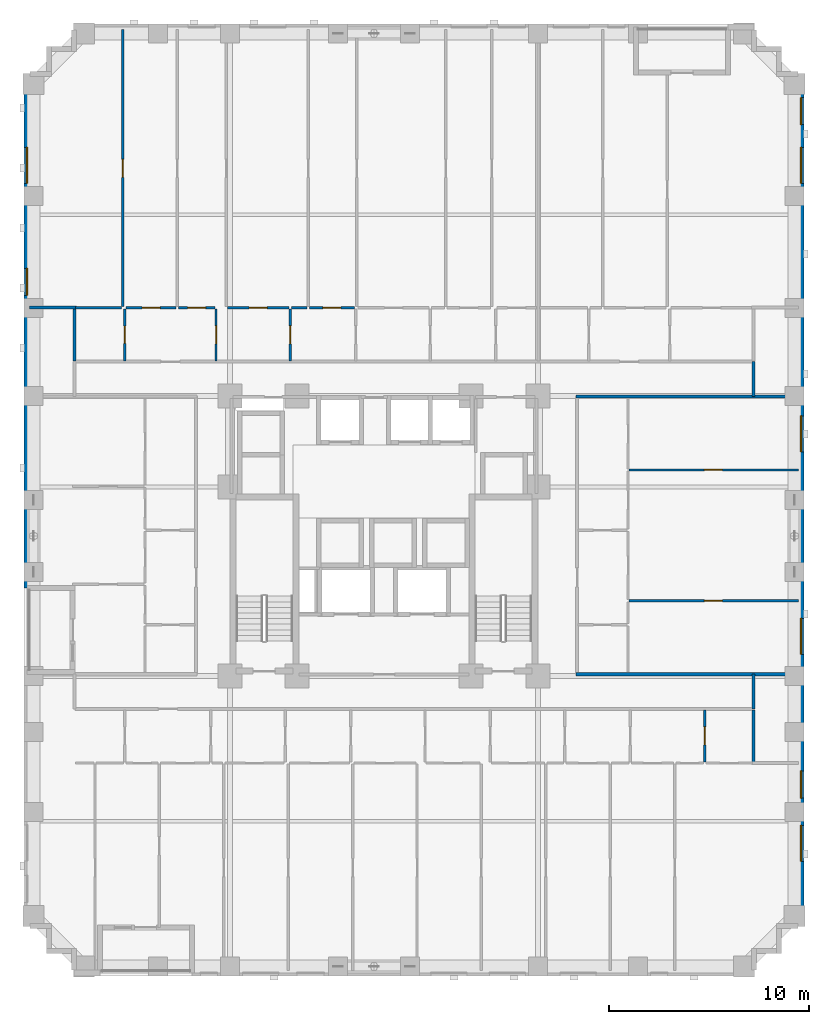
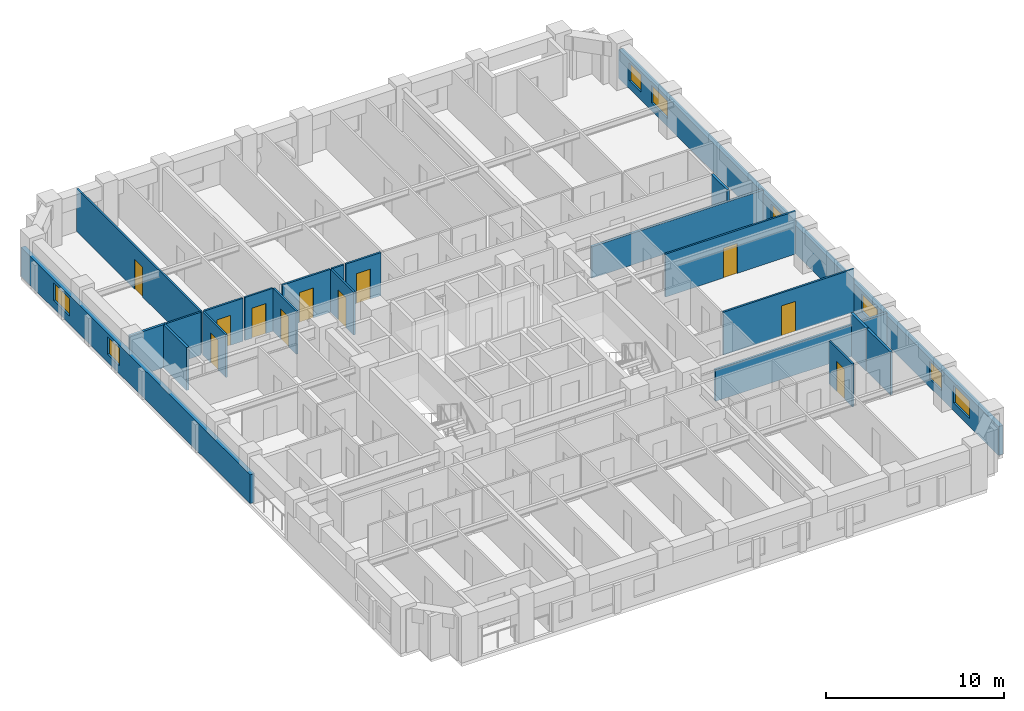
# One storey, part 7 of 14: 22 walls, 11 doors, 8 windows, 19 openings.
"""IFC4 building model written with IfcOpenShell, lengths in metres."""

from ifc_helpers import new_model, si_unit, derived_unit, direction, frame, frame_2d, origin, place, context, subcontext, project, spatial, rectangle, extrude, material, layer, layer_set, type_object, element, fill, save


model = new_model("IFC4")

# Units and contexts
model_context = context("Model", 3, precision=1e-05, world=origin(), true_north=direction((0.0, 1.0)))
body_context = subcontext(model_context, "Body", "Model", "MODEL_VIEW")
ifc_project = project(units=[si_unit("LENGTHUNIT", "METRE"), si_unit("AREAUNIT", "SQUARE_METRE"), si_unit("VOLUMEUNIT", "CUBIC_METRE"), si_unit("PLANEANGLEUNIT", "RADIAN"), si_unit("MASSUNIT", "GRAM", prefix="KILO"), derived_unit("THERMALTRANSMITTANCEUNIT", [(si_unit("MASSUNIT", "GRAM", prefix="KILO"), 1), (si_unit("TIMEUNIT", "SECOND"), -3), (si_unit("THERMODYNAMICTEMPERATUREUNIT", "KELVIN"), -1)])], contexts=[model_context])

# Site, building, storey
site_placement = place(None, origin())
site = spatial("IfcSite", under=ifc_project, at=site_placement, CompositionType="ELEMENT")
building_placement = place(site_placement, origin())
building = spatial("IfcBuilding", under=site, at=building_placement, Name="Korrvale Station Residences", CompositionType="ELEMENT")
storey_placement = place(building_placement, frame((0.0, 0.0, 29.0)))
storey = spatial("IfcBuildingStorey", under=building, at=storey_placement, Name="L06", CompositionType="ELEMENT", Elevation=29.0)

# Wall, openings, windows
ifc_material_1 = material(Name="Precast concrete C45/55", Category="concrete")
ifc_layer_1 = layer(ifc_material_1, 0.300048828125, Name="Precast concrete C45/55")
ifc_layer_set_1 = layer_set([ifc_layer_1], Name="Precast concrete C45/55")
wall_type_1 = type_object("IfcWallType", Name="WAL-EXT-PC300", PredefinedType="SOLIDWALL", material=ifc_layer_set_1)
wall_1_placement = place(storey_placement, frame((46.35009765625, 45.10009765625, 0.0), z_axis=(0.0, 0.0, 1.0), x_axis=(0.0, -1.0, 0.0)))
wall_1 = element("IfcWall", 1, at=wall_1_placement, inside=storey, type_object=wall_type_1, Name="L06 East Exterior Precast Wall 1", PredefinedType="SOLIDWALL", context=body_context, shape_type="SweptSolid", body=[
    extrude(rectangle(XDim=42.60009765625, YDim=0.300048828125, at=frame_2d((21.300048828125, 0.0))), origin(), (0.0, 0.0, 1.0), 1.97509765625),
])
opening_1_placement = place(wall_1_placement, frame((37.574951171875, 0.0, 0.550048828125)))
opening_1 = element("IfcOpeningElement", 2, at=opening_1_placement, cuts=wall_1, Name="Opening W-09", PredefinedType="OPENING", context=body_context, shape_type="SweptSolid", body=[
    extrude(rectangle(XDim=1.800048828125, YDim=1.199951171875, at=frame_2d((0.89990234375, 0.60009765625))), frame((0.0, 0.16015625, 0.0), z_axis=(0.0, -1.0, 0.0), x_axis=(1.0, 0.0, 0.0)), (0.0, 0.0, 1.0), 0.320068359375),
])
opening_2_placement = place(wall_1_placement, frame((34.85009765625, 0.0, 0.550048828125)))
opening_2 = element("IfcOpeningElement", 3, at=opening_2_placement, cuts=wall_1, Name="Opening W-10", PredefinedType="OPENING", context=body_context, shape_type="SweptSolid", body=[
    extrude(rectangle(XDim=1.35009765625, YDim=1.199951171875, at=frame_2d((0.675048828125, 0.60009765625))), frame((0.0, 0.16015625, 0.0), z_axis=(0.0, -1.0, 0.0), x_axis=(1.0, 0.0, 0.0)), (0.0, 0.0, 1.0), 0.320068359375),
])
opening_3_placement = place(wall_1_placement, frame((3.6650390625, 0.0, 0.550048828125)))
opening_3 = element("IfcOpeningElement", 4, at=opening_3_placement, cuts=wall_1, Name="Opening W-09", PredefinedType="OPENING", context=body_context, shape_type="SweptSolid", body=[
    extrude(rectangle(XDim=1.800048828125, YDim=1.199951171875, at=frame_2d((0.89990234375, 0.60009765625))), frame((0.0, 0.16015625, 0.0), z_axis=(0.0, -1.0, 0.0), x_axis=(1.0, 0.0, 0.0)), (0.0, 0.0, 1.0), 0.320068359375),
])
opening_4_placement = place(wall_1_placement, frame((1.18505859375, 0.0, 0.550048828125)))
opening_4 = element("IfcOpeningElement", 5, at=opening_4_placement, cuts=wall_1, Name="Opening W-10", PredefinedType="OPENING", context=body_context, shape_type="SweptSolid", body=[
    extrude(rectangle(XDim=1.35009765625, YDim=1.199951171875, at=frame_2d((0.675048828125, 0.60009765625))), frame((0.0, 0.16015625, 0.0), z_axis=(0.0, -1.0, 0.0), x_axis=(1.0, 0.0, 0.0)), (0.0, 0.0, 1.0), 0.320068359375),
])
opening_5_placement = place(wall_1_placement, frame((27.22509765625, 0.0, 0.550048828125)))
opening_5 = element("IfcOpeningElement", 6, at=opening_5_placement, cuts=wall_1, Name="Opening W-09", PredefinedType="OPENING", context=body_context, shape_type="SweptSolid", body=[
    extrude(rectangle(XDim=1.800048828125, YDim=1.199951171875, at=frame_2d((0.89990234375, 0.60009765625))), frame((0.0, 0.16015625, 0.0), z_axis=(0.0, -1.0, 0.0), x_axis=(1.0, 0.0, 0.0)), (0.0, 0.0, 1.0), 0.320068359375),
])
opening_6_placement = place(wall_1_placement, frame((17.10009765625, 0.0, 0.550048828125)))
opening_6 = element("IfcOpeningElement", 7, at=opening_6_placement, cuts=wall_1, Name="Opening W-09", PredefinedType="OPENING", context=body_context, shape_type="SweptSolid", body=[
    extrude(rectangle(XDim=1.800048828125, YDim=1.199951171875, at=frame_2d((0.89990234375, 0.60009765625))), frame((0.0, 0.16015625, 0.0), z_axis=(0.0, -1.0, 0.0), x_axis=(1.0, 0.0, 0.0)), (0.0, 0.0, 1.0), 0.320068359375),
])
ifc_material_2 = material(Name="Thermally broken aluminium frame with triple low-e glazing", Category="aluminium")
window_type_1 = type_object("IfcWindowType", Name="WIN-W09", PartitioningType="DOUBLE_PANEL_VERTICAL", PredefinedType="WINDOW", material=ifc_material_2)
window_1_placement = place(opening_1_placement, origin())
window_1 = element("IfcWindow", 8, at=window_1_placement, inside=storey, type_object=window_type_1, Name="L06 Punched Window 11", OverallHeight=1.199951171875, OverallWidth=1.800048828125, PartitioningType="DOUBLE_PANEL_VERTICAL", PredefinedType="WINDOW", context=body_context, shape_type="SweptSolid", body=[
    extrude(rectangle(XDim=1.800048828125, YDim=1.199951171875, at=frame_2d((0.89990234375, 0.60009765625))), frame((0.0, 0.030029296875, 0.0), z_axis=(0.0, -1.0, 0.0), x_axis=(1.0, 0.0, 0.0)), (0.0, 0.0, 1.0), 0.06005859375),
])
fill(opening_1, window_1)
window_2_placement = place(opening_3_placement, origin())
window_2 = element("IfcWindow", 9, at=window_2_placement, inside=storey, type_object=window_type_1, Name="L06 Punched Window 21", OverallHeight=1.199951171875, OverallWidth=1.800048828125, PartitioningType="DOUBLE_PANEL_VERTICAL", PredefinedType="WINDOW", context=body_context, shape_type="SweptSolid", body=[
    extrude(rectangle(XDim=1.800048828125, YDim=1.199951171875, at=frame_2d((0.89990234375, 0.60009765625))), frame((0.0, 0.030029296875, 0.0), z_axis=(0.0, -1.0, 0.0), x_axis=(1.0, 0.0, 0.0)), (0.0, 0.0, 1.0), 0.06005859375),
])
fill(opening_3, window_2)
window_3_placement = place(opening_5_placement, origin())
window_3 = element("IfcWindow", 10, at=window_3_placement, inside=storey, type_object=window_type_1, Name="L06 Punched Window 24", OverallHeight=1.199951171875, OverallWidth=1.800048828125, PartitioningType="DOUBLE_PANEL_VERTICAL", PredefinedType="WINDOW", context=body_context, shape_type="SweptSolid", body=[
    extrude(rectangle(XDim=1.800048828125, YDim=1.199951171875, at=frame_2d((0.89990234375, 0.60009765625))), frame((0.0, 0.030029296875, 0.0), z_axis=(0.0, -1.0, 0.0), x_axis=(1.0, 0.0, 0.0)), (0.0, 0.0, 1.0), 0.06005859375),
])
fill(opening_5, window_3)
window_4_placement = place(opening_6_placement, origin())
window_4 = element("IfcWindow", 11, at=window_4_placement, inside=storey, type_object=window_type_1, Name="L06 Punched Window 25", OverallHeight=1.199951171875, OverallWidth=1.800048828125, PartitioningType="DOUBLE_PANEL_VERTICAL", PredefinedType="WINDOW", context=body_context, shape_type="SweptSolid", body=[
    extrude(rectangle(XDim=1.800048828125, YDim=1.199951171875, at=frame_2d((0.89990234375, 0.60009765625))), frame((0.0, 0.030029296875, 0.0), z_axis=(0.0, -1.0, 0.0), x_axis=(1.0, 0.0, 0.0)), (0.0, 0.0, 1.0), 0.06005859375),
])
fill(opening_6, window_4)
window_type_2 = type_object("IfcWindowType", Name="WIN-W10", PartitioningType="SINGLE_PANEL", PredefinedType="WINDOW", material=ifc_material_2)
window_5_placement = place(opening_2_placement, origin())
window_5 = element("IfcWindow", 12, at=window_5_placement, inside=storey, type_object=window_type_2, Name="L06 Punched Window 12", OverallHeight=1.199951171875, OverallWidth=1.35009765625, PartitioningType="SINGLE_PANEL", PredefinedType="WINDOW", context=body_context, shape_type="SweptSolid", body=[
    extrude(rectangle(XDim=1.35009765625, YDim=1.199951171875, at=frame_2d((0.675048828125, 0.60009765625))), frame((0.0, 0.030029296875, 0.0), z_axis=(0.0, -1.0, 0.0), x_axis=(1.0, 0.0, 0.0)), (0.0, 0.0, 1.0), 0.06005859375),
])
fill(opening_2, window_5)
window_6_placement = place(opening_4_placement, origin())
window_6 = element("IfcWindow", 13, at=window_6_placement, inside=storey, type_object=window_type_2, Name="L06 Punched Window 22", OverallHeight=1.199951171875, OverallWidth=1.35009765625, PartitioningType="SINGLE_PANEL", PredefinedType="WINDOW", context=body_context, shape_type="SweptSolid", body=[
    extrude(rectangle(XDim=1.35009765625, YDim=1.199951171875, at=frame_2d((0.675048828125, 0.60009765625))), frame((0.0, 0.030029296875, 0.0), z_axis=(0.0, -1.0, 0.0), x_axis=(1.0, 0.0, 0.0)), (0.0, 0.0, 1.0), 0.06005859375),
])
fill(opening_4, window_6)

wall_2_placement = place(storey_placement, frame((7.64990234375, 19.39990234375, 0.0), z_axis=(0.0, 0.0, 1.0), x_axis=(0.0, 1.0, 0.0)))
wall_2 = element("IfcWall", 14, at=wall_2_placement, inside=storey, type_object=wall_type_1, Name="L06 West Exterior Precast Wall 2", PredefinedType="SOLIDWALL", context=body_context, shape_type="SweptSolid", body=[
    extrude(rectangle(XDim=25.7001953125, YDim=0.300048828125, at=frame_2d((12.85009765625, 0.0))), origin(), (0.0, 0.0, 1.0), 1.97509765625),
])
opening_7_placement = place(wall_2_placement, frame((20.235107421875, 0.0, 0.550048828125)))
opening_7 = element("IfcOpeningElement", 15, at=opening_7_placement, cuts=wall_2, Name="Opening W-09", PredefinedType="OPENING", context=body_context, shape_type="SweptSolid", body=[
    extrude(rectangle(XDim=1.800048828125, YDim=1.199951171875, at=frame_2d((0.89990234375, 0.60009765625))), frame((0.0, 0.16015625, 0.0), z_axis=(0.0, -1.0, 0.0), x_axis=(1.0, 0.0, 0.0)), (0.0, 0.0, 1.0), 0.320068359375),
])
opening_8_placement = place(wall_2_placement, frame((14.635009765625, 0.0, 0.550048828125)))
opening_8 = element("IfcOpeningElement", 16, at=opening_8_placement, cuts=wall_2, Name="Opening W-10", PredefinedType="OPENING", context=body_context, shape_type="SweptSolid", body=[
    extrude(rectangle(XDim=1.35009765625, YDim=1.199951171875, at=frame_2d((0.675048828125, 0.60009765625))), frame((0.0, 0.16015625, 0.0), z_axis=(0.0, -1.0, 0.0), x_axis=(1.0, 0.0, 0.0)), (0.0, 0.0, 1.0), 0.320068359375),
])
window_7_placement = place(opening_7_placement, origin())
window_7 = element("IfcWindow", 17, at=window_7_placement, inside=storey, type_object=window_type_1, Name="L06 Punched Window 13", OverallHeight=1.199951171875, OverallWidth=1.800048828125, PartitioningType="DOUBLE_PANEL_VERTICAL", PredefinedType="WINDOW", context=body_context, shape_type="SweptSolid", body=[
    extrude(rectangle(XDim=1.800048828125, YDim=1.199951171875, at=frame_2d((0.89990234375, 0.60009765625))), frame((0.0, 0.030029296875, 0.0), z_axis=(0.0, -1.0, 0.0), x_axis=(1.0, 0.0, 0.0)), (0.0, 0.0, 1.0), 0.06005859375),
])
fill(opening_7, window_7)
window_8_placement = place(opening_8_placement, origin())
window_8 = element("IfcWindow", 18, at=window_8_placement, inside=storey, type_object=window_type_2, Name="L06 Punched Window 14", OverallHeight=1.199951171875, OverallWidth=1.35009765625, PartitioningType="SINGLE_PANEL", PredefinedType="WINDOW", context=body_context, shape_type="SweptSolid", body=[
    extrude(rectangle(XDim=1.35009765625, YDim=1.199951171875, at=frame_2d((0.675048828125, 0.60009765625))), frame((0.0, 0.030029296875, 0.0), z_axis=(0.0, -1.0, 0.0), x_axis=(1.0, 0.0, 0.0)), (0.0, 0.0, 1.0), 0.06005859375),
])
fill(opening_8, window_8)

# Wall, opening, door
ifc_material_3 = material(Name="Acoustic steel-stud gypsum board partition", Category="steel")
ifc_layer_2 = layer(ifc_material_3, 0.1201171875, Name="Acoustic steel-stud gypsum board partition")
ifc_layer_set_2 = layer_set([ifc_layer_2], Name="Acoustic steel-stud gypsum board partition")
wall_type_2 = type_object("IfcWallType", Name="WAL-PART-125", PredefinedType="PARTITIONING", material=ifc_layer_set_2)
wall_3_placement = place(storey_placement, frame((41.530029296875, 10.7099609375, 0.0), z_axis=(0.0, 0.0, 1.0), x_axis=(0.0, 1.0, 0.0)))
wall_3 = element("IfcWall", 19, at=wall_3_placement, inside=storey, type_object=wall_type_2, Name="L06 Suite Partition U01-V89", PredefinedType="PARTITIONING", context=body_context, shape_type="SweptSolid", body=[
    extrude(rectangle(XDim=2.60009765625, YDim=0.1201171875, at=frame_2d((1.300048828125, 0.0))), origin(), (0.0, 0.0, 1.0), 2.93994140625),
])
opening_9_placement = place(wall_3_placement, frame((0.85009765625, 0.0, 0.0)))
opening_9 = element("IfcOpeningElement", 20, at=opening_9_placement, cuts=wall_3, Name="Opening DI-900", PredefinedType="OPENING", context=body_context, shape_type="SweptSolid", body=[
    extrude(rectangle(XDim=0.89990234375, YDim=2.050048828125, at=frame_2d((0.449951171875, 1.02490234375))), frame((0.0, 0.070068359375, 0.0), z_axis=(0.0, -1.0, 0.0), x_axis=(1.0, 0.0, 0.0)), (0.0, 0.0, 1.0), 0.14013671875),
])
ifc_material_4 = material(Name="Painted solid-core timber interior room door", Category="wood")
door_type_1 = type_object("IfcDoorType", Name="DR-INT-900", OperationType="NOTDEFINED", PredefinedType="DOOR", material=ifc_material_4)
door_1_placement = place(opening_9_placement, origin())
door_1 = element("IfcDoor", 21, at=door_1_placement, inside=storey, type_object=door_type_1, Name="L06 Studio Apartment L06-U01 Storage Closet 7 Door", OperationType="SINGLE_SWING_RIGHT", OverallHeight=2.050048828125, OverallWidth=0.89990234375, PredefinedType="DOOR", context=body_context, shape_type="SweptSolid", body=[
    extrude(rectangle(XDim=0.89990234375, YDim=2.050048828125, at=frame_2d((0.449951171875, 1.02490234375))), frame((0.0, 0.02490234375, 0.0), z_axis=(0.0, -1.0, 0.0), x_axis=(1.0, 0.0, 0.0)), (0.0, 0.0, 1.0), 0.050048828125),
])
fill(opening_9, door_1)

wall_4_placement = place(storey_placement, frame((12.5400390625, 30.760009765625, 0.0), z_axis=(0.0, 0.0, 1.0), x_axis=(0.0, 1.0, 0.0)))
wall_4 = element("IfcWall", 22, at=wall_4_placement, inside=storey, type_object=wall_type_2, Name="L06 Suite Partition U02-V01", PredefinedType="PARTITIONING", context=body_context, shape_type="SweptSolid", body=[
    extrude(rectangle(XDim=2.60009765625, YDim=0.1201171875, at=frame_2d((1.300048828125, 0.0))), origin(), (0.0, 0.0, 1.0), 2.93994140625),
])
opening_10_placement = place(wall_4_placement, frame((0.8701171875, 0.0, 0.0)))
opening_10 = element("IfcOpeningElement", 23, at=opening_10_placement, cuts=wall_4, Name="Opening DB-860", PredefinedType="OPENING", context=body_context, shape_type="SweptSolid", body=[
    extrude(rectangle(XDim=0.860107421875, YDim=2.050048828125, at=frame_2d((0.43017578125, 1.02490234375))), frame((0.0, 0.070068359375, 0.0), z_axis=(0.0, -1.0, 0.0), x_axis=(1.0, 0.0, 0.0)), (0.0, 0.0, 1.0), 0.14013671875),
])
ifc_material_5 = material(Name="Moisture-resistant solid-core bathroom door", Category="timber")
door_type_2 = type_object("IfcDoorType", Name="DR-BATH-860", OperationType="NOTDEFINED", PredefinedType="DOOR", material=ifc_material_5)
door_2_placement = place(opening_10_placement, origin())
door_2 = element("IfcDoor", 24, at=door_2_placement, inside=storey, type_object=door_type_2, Name="L06 Apartment 2BR L06-U02 Bathroom Door", OperationType="SINGLE_SWING_RIGHT", OverallHeight=2.050048828125, OverallWidth=0.860107421875, PredefinedType="DOOR", context=body_context, shape_type="SweptSolid", body=[
    extrude(rectangle(XDim=0.860107421875, YDim=2.050048828125, at=frame_2d((0.43017578125, 1.02490234375))), frame((0.0, 0.02490234375, 0.0), z_axis=(0.0, -1.0, 0.0), x_axis=(1.0, 0.0, 0.0)), (0.0, 0.0, 1.0), 0.050048828125),
])
fill(opening_10, door_2)

# Wall
wall_5_placement = place(storey_placement, frame((10.080078125, 33.419921875, 0.0), z_axis=(0.0, 0.0, 1.0), x_axis=(1.0, 0.0, 0.0)))
element("IfcWall", 25, at=wall_5_placement, inside=storey, type_object=wall_type_2, Name="L06 Suite Partition U02-H07", PredefinedType="PARTITIONING", context=body_context, shape_type="SweptSolid", body=[
    extrude(rectangle(XDim=2.2998046875, YDim=0.1201171875, at=frame_2d((1.14990234375, 0.0))), origin(), (0.0, 0.0, 1.0), 2.93994140625),
])

# Wall, opening, door
wall_6_placement = place(storey_placement, frame((17.10009765625, 30.760009765625, 0.0), z_axis=(0.0, 0.0, 1.0), x_axis=(0.0, 1.0, 0.0)))
wall_6 = element("IfcWall", 26, at=wall_6_placement, inside=storey, type_object=wall_type_2, Name="L06 Suite Partition U02-V12", PredefinedType="PARTITIONING", context=body_context, shape_type="SweptSolid", body=[
    extrude(rectangle(XDim=2.60009765625, YDim=0.1201171875, at=frame_2d((1.300048828125, 0.0))), origin(), (0.0, 0.0, 1.0), 2.93994140625),
])
opening_11_placement = place(wall_6_placement, frame((0.85009765625, 0.0, 0.0)))
opening_11 = element("IfcOpeningElement", 27, at=opening_11_placement, cuts=wall_6, Name="Opening DI-900", PredefinedType="OPENING", context=body_context, shape_type="SweptSolid", body=[
    extrude(rectangle(XDim=0.89990234375, YDim=2.050048828125, at=frame_2d((0.449951171875, 1.02490234375))), frame((0.0, 0.070068359375, 0.0), z_axis=(0.0, -1.0, 0.0), x_axis=(1.0, 0.0, 0.0)), (0.0, 0.0, 1.0), 0.14013671875),
])
door_3_placement = place(opening_11_placement, origin())
door_3 = element("IfcDoor", 28, at=door_3_placement, inside=storey, type_object=door_type_1, Name="L06 Apartment 2BR L06-U02 Kitchen Door", OperationType="SINGLE_SWING_LEFT", OverallHeight=2.050048828125, OverallWidth=0.89990234375, PredefinedType="DOOR", context=body_context, shape_type="SweptSolid", body=[
    extrude(rectangle(XDim=0.89990234375, YDim=2.050048828125, at=frame_2d((0.449951171875, 1.02490234375))), frame((0.0, 0.02490234375, 0.0), z_axis=(0.0, -1.0, 0.0), x_axis=(1.0, 0.0, 0.0)), (0.0, 0.0, 1.0), 0.050048828125),
])
fill(opening_11, door_3)

wall_7_placement = place(storey_placement, frame((12.60009765625, 33.419921875, 0.0), z_axis=(0.0, 0.0, 1.0), x_axis=(1.0, 0.0, 0.0)))
wall_7 = element("IfcWall", 29, at=wall_7_placement, inside=storey, type_object=wall_type_2, Name="L06 Suite Partition U02-H18", PredefinedType="PARTITIONING", context=body_context, shape_type="SweptSolid", body=[
    extrude(rectangle(XDim=2.5068359375, YDim=0.1201171875, at=frame_2d((1.25341796875, 0.0))), origin(), (0.0, 0.0, 1.0), 2.93994140625),
])
opening_12_placement = place(wall_7_placement, frame((0.802978515625, 0.0, 0.0)))
opening_12 = element("IfcOpeningElement", 30, at=opening_12_placement, cuts=wall_7, Name="Opening DI-900", PredefinedType="OPENING", context=body_context, shape_type="SweptSolid", body=[
    extrude(rectangle(XDim=0.89990234375, YDim=2.050048828125, at=frame_2d((0.449951171875, 1.02490234375))), frame((0.0, 0.070068359375, 0.0), z_axis=(0.0, -1.0, 0.0), x_axis=(1.0, 0.0, 0.0)), (0.0, 0.0, 1.0), 0.14013671875),
])
door_4_placement = place(opening_12_placement, origin())
door_4 = element("IfcDoor", 31, at=door_4_placement, inside=storey, type_object=door_type_1, Name="L06 Apartment 2BR L06-U02 Kitchen Door", OperationType="SINGLE_SWING_RIGHT", OverallHeight=2.050048828125, OverallWidth=0.89990234375, PredefinedType="DOOR", context=body_context, shape_type="SweptSolid", body=[
    extrude(rectangle(XDim=0.89990234375, YDim=2.050048828125, at=frame_2d((0.449951171875, 1.02490234375))), frame((0.0, 0.02490234375, 0.0), z_axis=(0.0, -1.0, 0.0), x_axis=(1.0, 0.0, 0.0)), (0.0, 0.0, 1.0), 0.050048828125),
])
fill(opening_12, door_4)

wall_8_placement = place(storey_placement, frame((15.22705078125, 33.419921875, 0.0), z_axis=(0.0, 0.0, 1.0), x_axis=(1.0, 0.0, 0.0)))
wall_8 = element("IfcWall", 32, at=wall_8_placement, inside=storey, type_object=wall_type_2, Name="L06 Suite Partition U02-H19", PredefinedType="PARTITIONING", context=body_context, shape_type="SweptSolid", body=[
    extrude(rectangle(XDim=1.81298828125, YDim=0.1201171875, at=frame_2d((0.906494140625, 0.0))), origin(), (0.0, 0.0, 1.0), 2.93994140625),
])
opening_13_placement = place(wall_8_placement, frame((0.4560546875, 0.0, 0.0)))
opening_13 = element("IfcOpeningElement", 33, at=opening_13_placement, cuts=wall_8, Name="Opening DI-900", PredefinedType="OPENING", context=body_context, shape_type="SweptSolid", body=[
    extrude(rectangle(XDim=0.89990234375, YDim=2.050048828125, at=frame_2d((0.449951171875, 1.02490234375))), frame((0.0, 0.070068359375, 0.0), z_axis=(0.0, -1.0, 0.0), x_axis=(1.0, 0.0, 0.0)), (0.0, 0.0, 1.0), 0.14013671875),
])
door_5_placement = place(opening_13_placement, origin())
door_5 = element("IfcDoor", 34, at=door_5_placement, inside=storey, type_object=door_type_1, Name="L06 Apartment 2BR L06-U02 Kitchen Door", OperationType="SINGLE_SWING_LEFT", OverallHeight=2.050048828125, OverallWidth=0.89990234375, PredefinedType="DOOR", context=body_context, shape_type="SweptSolid", body=[
    extrude(rectangle(XDim=0.89990234375, YDim=2.050048828125, at=frame_2d((0.449951171875, 1.02490234375))), frame((0.0, 0.02490234375, 0.0), z_axis=(0.0, -1.0, 0.0), x_axis=(1.0, 0.0, 0.0)), (0.0, 0.0, 1.0), 0.050048828125),
])
fill(opening_13, door_5)

wall_9_placement = place(storey_placement, frame((20.820068359375, 30.760009765625, 0.0), z_axis=(0.0, 0.0, 1.0), x_axis=(0.0, 1.0, 0.0)))
wall_9 = element("IfcWall", 35, at=wall_9_placement, inside=storey, type_object=wall_type_2, Name="L06 Suite Partition U02-V23", PredefinedType="PARTITIONING", context=body_context, shape_type="SweptSolid", body=[
    extrude(rectangle(XDim=2.60009765625, YDim=0.1201171875, at=frame_2d((1.300048828125, 0.0))), origin(), (0.0, 0.0, 1.0), 2.93994140625),
])
opening_14_placement = place(wall_9_placement, frame((0.85009765625, 0.0, 0.0)))
opening_14 = element("IfcOpeningElement", 36, at=opening_14_placement, cuts=wall_9, Name="Opening DI-900", PredefinedType="OPENING", context=body_context, shape_type="SweptSolid", body=[
    extrude(rectangle(XDim=0.89990234375, YDim=2.050048828125, at=frame_2d((0.449951171875, 1.02490234375))), frame((0.0, 0.070068359375, 0.0), z_axis=(0.0, -1.0, 0.0), x_axis=(1.0, 0.0, 0.0)), (0.0, 0.0, 1.0), 0.14013671875),
])
door_6_placement = place(opening_14_placement, origin())
door_6 = element("IfcDoor", 37, at=door_6_placement, inside=storey, type_object=door_type_1, Name="L06 Apartment 2BR L06-U02 Utility and Laundry Room Door", OperationType="SINGLE_SWING_RIGHT", OverallHeight=2.050048828125, OverallWidth=0.89990234375, PredefinedType="DOOR", context=body_context, shape_type="SweptSolid", body=[
    extrude(rectangle(XDim=0.89990234375, YDim=2.050048828125, at=frame_2d((0.449951171875, 1.02490234375))), frame((0.0, 0.02490234375, 0.0), z_axis=(0.0, -1.0, 0.0), x_axis=(1.0, 0.0, 0.0)), (0.0, 0.0, 1.0), 0.050048828125),
])
fill(opening_14, door_6)

wall_10_placement = place(storey_placement, frame((17.6640625, 33.419921875, 0.0), z_axis=(0.0, 0.0, 1.0), x_axis=(1.0, 0.0, 0.0)))
wall_10 = element("IfcWall", 38, at=wall_10_placement, inside=storey, type_object=wall_type_2, Name="L06 Suite Partition U02-H210", PredefinedType="PARTITIONING", context=body_context, shape_type="SweptSolid", body=[
    extrude(rectangle(XDim=3.095947265625, YDim=0.1201171875, at=frame_2d((1.5478515625, 0.0))), origin(), (0.0, 0.0, 1.0), 2.93994140625),
])
opening_15_placement = place(wall_10_placement, frame((1.097900390625, 0.0, 0.0)))
opening_15 = element("IfcOpeningElement", 39, at=opening_15_placement, cuts=wall_10, Name="Opening DI-900", PredefinedType="OPENING", context=body_context, shape_type="SweptSolid", body=[
    extrude(rectangle(XDim=0.89990234375, YDim=2.050048828125, at=frame_2d((0.449951171875, 1.02490234375))), frame((0.0, 0.070068359375, 0.0), z_axis=(0.0, -1.0, 0.0), x_axis=(1.0, 0.0, 0.0)), (0.0, 0.0, 1.0), 0.14013671875),
])
door_7_placement = place(opening_15_placement, origin())
door_7 = element("IfcDoor", 40, at=door_7_placement, inside=storey, type_object=door_type_1, Name="L06 Apartment 2BR L06-U02 Utility and Laundry Room Door", OperationType="SINGLE_SWING_LEFT", OverallHeight=2.050048828125, OverallWidth=0.89990234375, PredefinedType="DOOR", context=body_context, shape_type="SweptSolid", body=[
    extrude(rectangle(XDim=0.89990234375, YDim=2.050048828125, at=frame_2d((0.449951171875, 1.02490234375))), frame((0.0, 0.02490234375, 0.0), z_axis=(0.0, -1.0, 0.0), x_axis=(1.0, 0.0, 0.0)), (0.0, 0.0, 1.0), 0.050048828125),
])
fill(opening_15, door_7)

# Wall
wall_11_placement = place(storey_placement, frame((20.8798828125, 33.419921875, 0.0), z_axis=(0.0, 0.0, 1.0), x_axis=(1.0, 0.0, 0.0)))
element("IfcWall", 41, at=wall_11_placement, inside=storey, type_object=wall_type_2, Name="L06 Suite Partition U02-H310", PredefinedType="PARTITIONING", context=body_context, shape_type="SweptSolid", body=[
    extrude(rectangle(XDim=0.76708984375, YDim=0.1201171875, at=frame_2d((0.383544921875, 0.0))), origin(), (0.0, 0.0, 1.0), 2.93994140625),
])

# Wall, opening, door
wall_12_placement = place(storey_placement, frame((21.76708984375, 33.419921875, 0.0), z_axis=(0.0, 0.0, 1.0), x_axis=(1.0, 0.0, 0.0)))
wall_12 = element("IfcWall", 42, at=wall_12_placement, inside=storey, type_object=wall_type_2, Name="L06 Suite Partition U02-H311", PredefinedType="PARTITIONING", context=body_context, shape_type="SweptSolid", body=[
    extrude(rectangle(XDim=2.262939453125, YDim=0.1201171875, at=frame_2d((1.13134765625, 0.0))), origin(), (0.0, 0.0, 1.0), 2.93994140625),
])
opening_16_placement = place(wall_12_placement, frame((0.680908203125, 0.0, 0.0)))
opening_16 = element("IfcOpeningElement", 43, at=opening_16_placement, cuts=wall_12, Name="Opening DI-900", PredefinedType="OPENING", context=body_context, shape_type="SweptSolid", body=[
    extrude(rectangle(XDim=0.89990234375, YDim=2.050048828125, at=frame_2d((0.449951171875, 1.02490234375))), frame((0.0, 0.070068359375, 0.0), z_axis=(0.0, -1.0, 0.0), x_axis=(1.0, 0.0, 0.0)), (0.0, 0.0, 1.0), 0.14013671875),
])
door_8_placement = place(opening_16_placement, origin())
door_8 = element("IfcDoor", 44, at=door_8_placement, inside=storey, type_object=door_type_1, Name="L06 Apartment 2BR L06-U02 Storage Closet 2 Door", OperationType="SINGLE_SWING_LEFT", OverallHeight=2.050048828125, OverallWidth=0.89990234375, PredefinedType="DOOR", context=body_context, shape_type="SweptSolid", body=[
    extrude(rectangle(XDim=0.89990234375, YDim=2.050048828125, at=frame_2d((0.449951171875, 1.02490234375))), frame((0.0, 0.02490234375, 0.0), z_axis=(0.0, -1.0, 0.0), x_axis=(1.0, 0.0, 0.0)), (0.0, 0.0, 1.0), 0.050048828125),
])
fill(opening_16, door_8)

wall_13_placement = place(storey_placement, frame((12.43994140625, 33.47998046875, 0.0), z_axis=(0.0, 0.0, 1.0), x_axis=(0.0, 1.0, 0.0)))
wall_13 = element("IfcWall", 45, at=wall_13_placement, inside=storey, type_object=wall_type_2, Name="L06 Suite Partition U02-V78", PredefinedType="PARTITIONING", context=body_context, shape_type="SweptSolid", body=[
    extrude(rectangle(XDim=13.840087890625, YDim=0.1201171875, at=frame_2d((6.919921875, 0.0))), origin(), (0.0, 0.0, 1.0), 2.93994140625),
])
opening_17_placement = place(wall_13_placement, frame((6.455078125, 0.0, 0.0)))
opening_17 = element("IfcOpeningElement", 46, at=opening_17_placement, cuts=wall_13, Name="Opening DI-900", PredefinedType="OPENING", context=body_context, shape_type="SweptSolid", body=[
    extrude(rectangle(XDim=0.89990234375, YDim=2.050048828125, at=frame_2d((0.449951171875, 1.02490234375))), frame((0.0, 0.070068359375, 0.0), z_axis=(0.0, -1.0, 0.0), x_axis=(1.0, 0.0, 0.0)), (0.0, 0.0, 1.0), 0.14013671875),
])
door_9_placement = place(opening_17_placement, origin())
door_9 = element("IfcDoor", 47, at=door_9_placement, inside=storey, type_object=door_type_1, Name="L06 Apartment 2BR L06-U02 Living and Dining Room Door", OperationType="SINGLE_SWING_LEFT", OverallHeight=2.050048828125, OverallWidth=0.89990234375, PredefinedType="DOOR", context=body_context, shape_type="SweptSolid", body=[
    extrude(rectangle(XDim=0.89990234375, YDim=2.050048828125, at=frame_2d((0.449951171875, 1.02490234375))), frame((0.0, 0.02490234375, 0.0), z_axis=(0.0, -1.0, 0.0), x_axis=(1.0, 0.0, 0.0)), (0.0, 0.0, 1.0), 0.050048828125),
])
fill(opening_17, door_9)

wall_14_placement = place(storey_placement, frame((37.760009765625, 18.76904296875, 0.0), z_axis=(0.0, 0.0, 1.0), x_axis=(1.0, 0.0, 0.0)))
wall_14 = element("IfcWall", 48, at=wall_14_placement, inside=storey, type_object=wall_type_2, Name="L06 Suite Partition U05-H34", PredefinedType="PARTITIONING", context=body_context, shape_type="SweptSolid", body=[
    extrude(rectangle(XDim=8.4599609375, YDim=0.1201171875, at=frame_2d((4.22998046875, 0.0))), origin(), (0.0, 0.0, 1.0), 2.93994140625),
])
opening_18_placement = place(wall_14_placement, frame((3.764892578125, 0.0, 0.0)))
opening_18 = element("IfcOpeningElement", 49, at=opening_18_placement, cuts=wall_14, Name="Opening DI-900", PredefinedType="OPENING", context=body_context, shape_type="SweptSolid", body=[
    extrude(rectangle(XDim=0.89990234375, YDim=2.050048828125, at=frame_2d((0.449951171875, 1.02490234375))), frame((0.0, 0.070068359375, 0.0), z_axis=(0.0, -1.0, 0.0), x_axis=(1.0, 0.0, 0.0)), (0.0, 0.0, 1.0), 0.14013671875),
])
door_10_placement = place(opening_18_placement, origin())
door_10 = element("IfcDoor", 50, at=door_10_placement, inside=storey, type_object=door_type_1, Name="L06 Apartment 2BR L06-U05 Bedroom 1 Door", OperationType="SINGLE_SWING_LEFT", OverallHeight=2.050048828125, OverallWidth=0.89990234375, PredefinedType="DOOR", context=body_context, shape_type="SweptSolid", body=[
    extrude(rectangle(XDim=0.89990234375, YDim=2.050048828125, at=frame_2d((0.449951171875, 1.02490234375))), frame((0.0, 0.02490234375, 0.0), z_axis=(0.0, -1.0, 0.0), x_axis=(1.0, 0.0, 0.0)), (0.0, 0.0, 1.0), 0.050048828125),
])
fill(opening_18, door_10)

wall_15_placement = place(storey_placement, frame((37.760009765625, 25.301025390625, 0.0), z_axis=(0.0, 0.0, 1.0), x_axis=(1.0, 0.0, 0.0)))
wall_15 = element("IfcWall", 51, at=wall_15_placement, inside=storey, type_object=wall_type_2, Name="L06 Suite Partition U05-H45", PredefinedType="PARTITIONING", context=body_context, shape_type="SweptSolid", body=[
    extrude(rectangle(XDim=8.4599609375, YDim=0.1201171875, at=frame_2d((4.22998046875, 0.0))), origin(), (0.0, 0.0, 1.0), 2.93994140625),
])
opening_19_placement = place(wall_15_placement, frame((3.764892578125, 0.0, 0.0)))
opening_19 = element("IfcOpeningElement", 52, at=opening_19_placement, cuts=wall_15, Name="Opening DI-900", PredefinedType="OPENING", context=body_context, shape_type="SweptSolid", body=[
    extrude(rectangle(XDim=0.89990234375, YDim=2.050048828125, at=frame_2d((0.449951171875, 1.02490234375))), frame((0.0, 0.070068359375, 0.0), z_axis=(0.0, -1.0, 0.0), x_axis=(1.0, 0.0, 0.0)), (0.0, 0.0, 1.0), 0.14013671875),
])
door_11_placement = place(opening_19_placement, origin())
door_11 = element("IfcDoor", 53, at=door_11_placement, inside=storey, type_object=door_type_1, Name="L06 Apartment 2BR L06-U05 Living and Dining Room Door", OperationType="SINGLE_SWING_RIGHT", OverallHeight=2.050048828125, OverallWidth=0.89990234375, PredefinedType="DOOR", context=body_context, shape_type="SweptSolid", body=[
    extrude(rectangle(XDim=0.89990234375, YDim=2.050048828125, at=frame_2d((0.449951171875, 1.02490234375))), frame((0.0, 0.02490234375, 0.0), z_axis=(0.0, -1.0, 0.0), x_axis=(1.0, 0.0, 0.0)), (0.0, 0.0, 1.0), 0.050048828125),
])
fill(opening_19, door_11)

# Walls
ifc_material_6 = material(Name="Fire-rated twin-stud gypsum and mineral wool shaftwall assembly", Category="gypsum")
ifc_layer_3 = layer(ifc_material_6, 0.159912109375, Name="Fire-rated twin-stud gypsum and mineral wool shaftwall assembly")
ifc_layer_set_3 = layer_set([ifc_layer_3], Name="Fire-rated twin-stud gypsum and mineral wool shaftwall assembly")
wall_type_3 = type_object("IfcWallType", Name="WAL-PART-200", PredefinedType="PARTITIONING", material=ifc_layer_set_3)
for number, where, z_axis, x_axis, name in (
    (54, (43.97998046875, 13.35009765625, 0.0), (0.0, 0.0, 1.0), (0.0, 1.0, 0.0), "L06 Corridor South East Cap"),
    (55, (43.97998046875, 28.97998046875, 0.0), (0.0, 0.0, 1.0), (0.0, 1.0, 0.0), "L06 Corridor North East Cap"),
):
    element("IfcWall", number, at=place(storey_placement, frame(where, z_axis=z_axis, x_axis=x_axis)), inside=storey, type_object=wall_type_3, Name=name, PredefinedType="PARTITIONING", context=body_context, shape_type="SweptSolid", body=[
        extrude(rectangle(XDim=1.739990234375, YDim=0.159912109375, at=frame_2d((0.8701171875, 0.0))), origin(), (0.0, 0.0, 1.0), 2.93994140625),
    ])
for number, where, z_axis, x_axis, name in (
    (56, (35.110107421875, 15.090087890625, 0.0), (0.0, 0.0, 1.0), (1.0, 0.0, 0.0), "L06 East Wing South Corridor Wall"),
    (57, (35.110107421875, 28.97998046875, 0.0), (0.0, 0.0, 1.0), (1.0, 0.0, 0.0), "L06 East Wing North Corridor Wall"),
):
    element("IfcWall", number, at=place(storey_placement, frame(where, z_axis=z_axis, x_axis=x_axis)), inside=storey, type_object=wall_type_3, Name=name, PredefinedType="PARTITIONING", context=body_context, shape_type="SweptSolid", body=[
        extrude(rectangle(XDim=11.10986328125, YDim=0.159912109375, at=frame_2d((5.554931640625, 0.0))), origin(), (0.0, 0.0, 1.0), 2.155029296875),
    ])
wall_16_placement = place(storey_placement, frame((43.97998046875, 10.64990234375, 0.0), z_axis=(0.0, 0.0, 1.0), x_axis=(0.0, 1.0, 0.0)))
element("IfcWall", 58, at=wall_16_placement, inside=storey, type_object=wall_type_3, Name="L06 Corner Step Cheek U01-R", PredefinedType="PARTITIONING", context=body_context, shape_type="SweptSolid", body=[
    extrude(rectangle(XDim=2.66015625, YDim=0.159912109375, at=frame_2d((1.330078125, 0.0))), origin(), (0.0, 0.0, 1.0), 2.93994140625),
])
wall_17_placement = place(storey_placement, frame((7.780029296875, 33.419921875, 0.0), z_axis=(0.0, 0.0, 1.0), x_axis=(1.0, 0.0, 0.0)))
element("IfcWall", 59, at=wall_17_placement, inside=storey, type_object=wall_type_3, Name="L06 Corner Step Wall U02-L", PredefinedType="PARTITIONING", context=body_context, shape_type="SweptSolid", body=[
    extrude(rectangle(XDim=2.340087890625, YDim=0.159912109375, at=frame_2d((1.169921875, 0.0))), origin(), (0.0, 0.0, 1.0), 2.93994140625),
])
wall_18_placement = place(storey_placement, frame((10.02001953125, 30.760009765625, 0.0), z_axis=(0.0, 0.0, 1.0), x_axis=(0.0, 1.0, 0.0)))
element("IfcWall", 60, at=wall_18_placement, inside=storey, type_object=wall_type_3, Name="L06 Corner Step Cheek U02-L", PredefinedType="PARTITIONING", context=body_context, shape_type="SweptSolid", body=[
    extrude(rectangle(XDim=2.659912109375, YDim=0.159912109375, at=frame_2d((1.330078125, 0.0))), origin(), (0.0, 0.0, 1.0), 2.93994140625),
])

save(model, "model.ifc")
